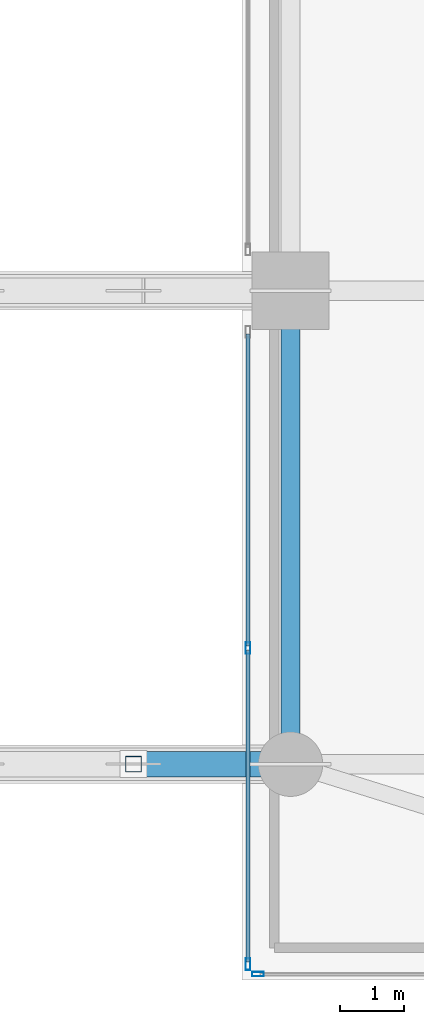
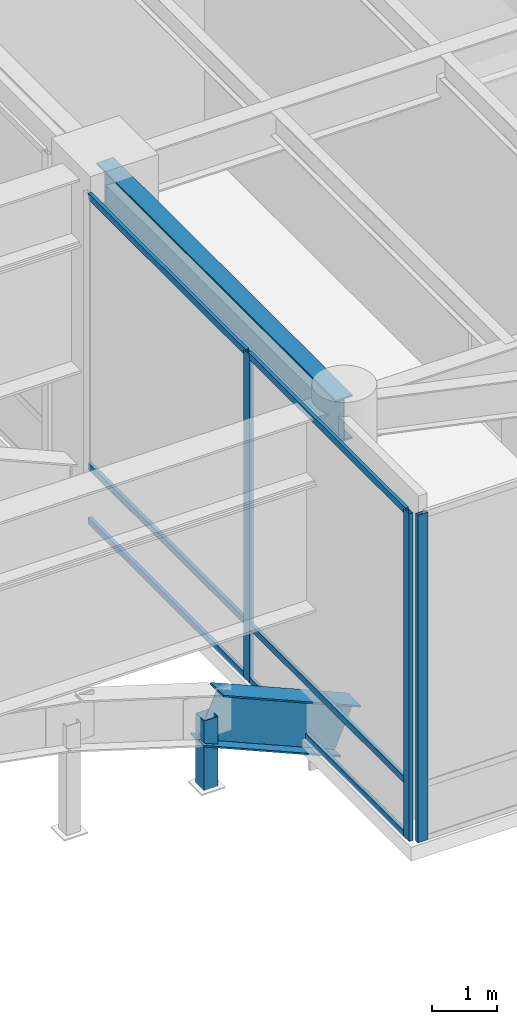
# One storey, part 18 of 50: 10 members, 2 beams, 2 elements without a shape of their own.
"""IFC4 building model written with IfcOpenShell, lengths in metres."""

from ifc_helpers import new_model, si_unit, direction, frame, origin, origin_2d, place, context, subcontext, project, spatial, hollow_rectangle, i_section, extrude, source, transform, mapped, material, layer, layer_set, material_profile, profile_set, type_object, type_shapes, element, aggregate, save


model = new_model("IFC4")

# Units and contexts
model_context = context("Model", 3, precision=1e-05, world=origin(), true_north=direction((0.0, 1.0)))
body_context = subcontext(model_context, "Body", "Model", "MODEL_VIEW")
ifc_project = project(units=[si_unit("LENGTHUNIT", "METRE"), si_unit("AREAUNIT", "SQUARE_METRE"), si_unit("VOLUMEUNIT", "CUBIC_METRE"), si_unit("PLANEANGLEUNIT", "RADIAN"), si_unit("MASSUNIT", "GRAM", prefix="KILO")], contexts=[model_context])

# Site, building, storey
site_placement = place(None, origin())
site = spatial("IfcSite", under=ifc_project, at=site_placement, CompositionType="ELEMENT")
building_placement = place(site_placement, origin())
building = spatial("IfcBuilding", under=site, at=building_placement, Name="Tolvann Quenvar Hotel", CompositionType="ELEMENT")
storey_placement = place(building_placement, frame((0.0, 0.0, 16.0)))
storey = spatial("IfcBuildingStorey", under=building, at=storey_placement, Name="L03", CompositionType="ELEMENT", Elevation=16.0)

# Beams
ifc_material_1 = material(Name="Steel Grade 350", Category="steel")
ifc_material_profile_1 = material_profile(ifc_material_1, i_section(OverallWidth=0.300048828125, OverallDepth=0.81591796875, WebThickness=0.010009765625, FlangeThickness=0.028076171875, at=origin_2d()), Name="800WB192")
ifc_profile_set_1 = profile_set([ifc_material_profile_1], Name="Steel Grade 350")
beam_type_1 = type_object("IfcBeamType", Name="BM_GIRD_800WB192", PredefinedType="BEAM", material=ifc_profile_set_1)
shared_shape_1 = source(origin(), body_context, "Body", "SweptSolid", [
    extrude(i_section(OverallWidth=0.300048828125, OverallDepth=0.81591796875, WebThickness=0.010009765625, FlangeThickness=0.028076171875, at=origin_2d()), origin(), (0.0, 0.0, 1.0), 7.349853515625),
])
type_shapes(beam_type_1, [shared_shape_1])
beam_1_placement = place(storey_placement, frame((38.25, 0.85009765625, 5.73193359375), z_axis=(0.0, 1.0, 0.0), x_axis=(-1.0, 0.0, 0.0)))
element("IfcBeam", 1, at=beam_1_placement, inside=storey, type_object=beam_type_1, Name="BM-L03-NS-APE-0", PredefinedType="BEAM", context=body_context, shape_type="MappedRepresentation", body=[
    mapped(shared_shape_1, transform((0.0, 0.0, 0.0), x_axis=(1.0, 0.0, 0.0), y_axis=(0.0, 1.0, 0.0), z_axis=(0.0, 0.0, 1.0), scale=1.0)),
])
ifc_material_profile_2 = material_profile(ifc_material_1, i_section(OverallWidth=0.39990234375, OverallDepth=0.916015625, WebThickness=0.011962890625, FlangeThickness=0.028076171875, at=origin_2d()), Name="900WB257")
ifc_profile_set_2 = profile_set([ifc_material_profile_2], Name="Steel Grade 350")
beam_type_2 = type_object("IfcBeamType", Name="BM_ARCH_900WB257", PredefinedType="USERDEFINED", material=ifc_profile_set_2)
shared_shape_2 = source(origin(), body_context, "Body", "SweptSolid", [
    extrude(i_section(OverallWidth=0.39990234375, OverallDepth=0.916015625, WebThickness=0.011962890625, FlangeThickness=0.028076171875, at=origin_2d()), origin(), (0.0, 0.0, 1.0), 2.654052734375),
])
type_shapes(beam_type_2, [shared_shape_2])
beam_2_placement = place(storey_placement, frame((35.8125, 0.85009765625, 1.050048828125), z_axis=(0.918405931002, 0.0, -0.395639413987), x_axis=(0.0, 1.0, 0.0)))
element("IfcBeam", 2, at=beam_2_placement, inside=storey, type_object=beam_type_2, Name="Podium Parabolic Arch Rib F1-S8", ObjectType="ARCH RIB", PredefinedType="USERDEFINED", context=body_context, shape_type="MappedRepresentation", body=[
    mapped(shared_shape_2, transform((0.0, 0.0, 0.0), x_axis=(1.0, 0.0, 0.0), y_axis=(0.0, 1.0, 0.0), z_axis=(0.0, 0.0, 1.0), scale=1.0)),
])

# Member
ifc_material_2 = material(Name="Steel Grade 450 (C450L0)", Category="steel")
ifc_material_profile_3 = material_profile(ifc_material_2, hollow_rectangle(XDim=0.25, YDim=0.25, WallThickness=0.010009765625, at=origin_2d()), Name="250x250x10SHS")
ifc_profile_set_3 = profile_set([ifc_material_profile_3], Name="Steel Grade 450 (C450L0)")
member_type_1 = type_object("IfcMemberType", Name="MEM_POST_250SHS", PredefinedType="POST", material=ifc_profile_set_3)
shared_shape_3 = source(origin(), body_context, "Body", "SweptSolid", [
    extrude(hollow_rectangle(XDim=0.25, YDim=0.25, WallThickness=0.010009765625, at=origin_2d()), origin(), (0.0, 0.0, 1.0), 1.31005859375),
])
type_shapes(member_type_1, [shared_shape_3])
member_1_placement = place(storey_placement, frame((35.8125, 0.85009765625, -0.260009765625), z_axis=(0.0, 0.0, 1.0), x_axis=(1.0, 0.0, 0.0)))
element("IfcMember", 3, at=member_1_placement, inside=storey, type_object=member_type_1, Name="Arch Spandrel Pedestal Post F1-B7", PredefinedType="POST", context=body_context, shape_type="MappedRepresentation", body=[
    mapped(shared_shape_3, transform((0.0, 0.0, 0.0), x_axis=(1.0, 0.0, 0.0), y_axis=(0.0, 1.0, 0.0), z_axis=(0.0, 0.0, 1.0), scale=1.0)),
])

# Curtain wall, members
ifc_material_3 = material(Name="Thermally broken anodised architectural aluminium 6063-T6 and laminated low-E glass", Category="aluminium")
ifc_layer_1 = layer(ifc_material_3, 0.179931640625)
ifc_layer_set_1 = layer_set([ifc_layer_1], Name="Thermally broken anodised architectural aluminium 6063-T6 and laminated low-E glass")
curtain_wall_type_1 = type_object("IfcCurtainWallType", Name="CW_SYS_ARCH_01", PredefinedType="USERDEFINED", material=ifc_layer_set_1)
curtain_wall_1_placement = place(storey_placement, origin())
curtain_wall_1 = element("IfcCurtainWall", 4, at=curtain_wall_1_placement, inside=storey, type_object=curtain_wall_type_1, Name="Curtain Wall CW-ARCH-01 (CWR-L03-E03-S4)", ObjectType="UNITISED CURTAIN WALL", PredefinedType="USERDEFINED")
ifc_material_4 = material(Name="Anodised architectural aluminium 6063-T6 framing", Category="aluminium")
ifc_material_profile_4 = material_profile(ifc_material_4, hollow_rectangle(XDim=0.070068359375, YDim=0.179931640625, WallThickness=0.00390625, at=origin_2d()), Name="180x70x4RHS")
ifc_profile_set_4 = profile_set([ifc_material_profile_4], Name="Anodised architectural aluminium 6063-T6 framing")
member_type_2 = type_object("IfcMemberType", Name="CW_MULL_180x70", PredefinedType="MULLION", material=ifc_profile_set_4)
shared_shape_4 = source(origin(), body_context, "Body", "SweptSolid", [
    extrude(hollow_rectangle(XDim=0.070068359375, YDim=0.179931640625, WallThickness=0.00390625, at=origin_2d()), origin(), (0.0, 0.0, 1.0), 6.139892578125),
])
type_shapes(member_type_2, [shared_shape_4])
member_2_placement = place(storey_placement, frame((37.590087890625, 2.653076171875, 0.0), z_axis=(0.0, 0.0, 1.0), x_axis=(1.0, 0.0, 0.0)))
member_2 = element("IfcMember", 5, at=member_2_placement, type_object=member_type_2, Name="CW-ARCH-01 mullion 2", PredefinedType="MULLION", context=body_context, shape_type="MappedRepresentation", body=[
    mapped(shared_shape_4, transform((0.0, 0.0, 0.0), x_axis=(1.0, 0.0, 0.0), y_axis=(0.0, 1.0, 0.0), z_axis=(0.0, 0.0, 1.0), scale=1.0)),
])
member_3_placement = place(storey_placement, frame((37.590087890625, -2.2548828125, 0.0), z_axis=(0.0, 0.0, 1.0), x_axis=(1.0, 0.0, 0.0)))
member_3 = element("IfcMember", 6, at=member_3_placement, type_object=member_type_2, Name="CW-ARCH-01 mullion 3", PredefinedType="MULLION", context=body_context, shape_type="MappedRepresentation", body=[
    mapped(shared_shape_4, transform((0.0, 0.0, 0.0), x_axis=(1.0, 0.0, 0.0), y_axis=(0.0, 1.0, 0.0), z_axis=(0.0, 0.0, 1.0), scale=1.0)),
])

# Curtain wall, member
ifc_layer_2 = layer(ifc_material_3, 0.179931640625)
ifc_layer_set_2 = layer_set([ifc_layer_2], Name="Thermally broken anodised architectural aluminium 6063-T6 and laminated low-E glass")
curtain_wall_type_2 = type_object("IfcCurtainWallType", Name="CW_SYS_BALL_02", PredefinedType="USERDEFINED", material=ifc_layer_set_2)
curtain_wall_2_placement = place(storey_placement, origin())
curtain_wall_2 = element("IfcCurtainWall", 7, at=curtain_wall_2_placement, inside=storey, type_object=curtain_wall_type_2, Name="Curtain Wall CW-BALL-02 (CWR-L03-E04-S1)", ObjectType="UNITISED CURTAIN WALL", PredefinedType="USERDEFINED")
member_4_placement = place(storey_placement, frame((37.7451171875, -2.409912109375, 0.0), z_axis=(0.0, 0.0, 1.0), x_axis=(0.0, 1.0, 0.0)))
member_4 = element("IfcMember", 8, at=member_4_placement, type_object=member_type_2, Name="CW-BALL-02 mullion 1", PredefinedType="MULLION", context=body_context, shape_type="MappedRepresentation", body=[
    mapped(shared_shape_4, transform((0.0, 0.0, 0.0), x_axis=(1.0, 0.0, 0.0), y_axis=(0.0, 1.0, 0.0), z_axis=(0.0, 0.0, 1.0), scale=1.0)),
])
aggregate(curtain_wall_2, [member_4])

# Member
ifc_material_profile_5 = material_profile(ifc_material_4, hollow_rectangle(XDim=0.06005859375, YDim=0.1201171875, WallThickness=0.00341796875, at=origin_2d()), Name="120x60x3.5RHS")
ifc_profile_set_5 = profile_set([ifc_material_profile_5], Name="Anodised architectural aluminium 6063-T6 framing")
member_type_3 = type_object("IfcMemberType", Name="CW_TRAN_120x60", PredefinedType="USERDEFINED", material=ifc_profile_set_5)
shared_shape_5 = source(origin(), body_context, "Body", "SweptSolid", [
    extrude(hollow_rectangle(XDim=0.06005859375, YDim=0.1201171875, WallThickness=0.00341796875, at=origin_2d()), origin(), (0.0, 0.0, 1.0), 4.837890625),
])
type_shapes(member_type_3, [shared_shape_5])
member_5_placement = place(storey_placement, frame((37.590087890625, 7.52587890625, 0.030029296875), z_axis=(0.0, -1.0, 0.0), x_axis=(1.0, 0.0, 0.0)))
member_5 = element("IfcMember", 9, at=member_5_placement, type_object=member_type_3, Name="CW-ARCH-01 transom 1.1", ObjectType="TRANSOM", PredefinedType="USERDEFINED", context=body_context, shape_type="MappedRepresentation", body=[
    mapped(shared_shape_5, transform((0.0, 0.0, 0.0), x_axis=(1.0, 0.0, 0.0), y_axis=(0.0, 1.0, 0.0), z_axis=(0.0, 0.0, 1.0), scale=1.0)),
])

member_6_placement = place(storey_placement, frame((37.590087890625, 7.52587890625, 1.050048828125), z_axis=(0.0, -1.0, 0.0), x_axis=(1.0, 0.0, 0.0)))
member_6 = element("IfcMember", 10, at=member_6_placement, type_object=member_type_3, Name="CW-ARCH-01 transom 1.2", ObjectType="TRANSOM", PredefinedType="USERDEFINED", context=body_context, shape_type="MappedRepresentation", body=[
    mapped(shared_shape_5, transform((0.0, 0.0, 0.0), x_axis=(1.0, 0.0, 0.0), y_axis=(0.0, 1.0, 0.0), z_axis=(0.0, 0.0, 1.0), scale=1.0)),
])

member_7_placement = place(storey_placement, frame((37.590087890625, 7.52587890625, 6.110107421875), z_axis=(0.0, -1.0, 0.0), x_axis=(1.0, 0.0, 0.0)))
member_7 = element("IfcMember", 11, at=member_7_placement, type_object=member_type_3, Name="CW-ARCH-01 transom 1.3", ObjectType="TRANSOM", PredefinedType="USERDEFINED", context=body_context, shape_type="MappedRepresentation", body=[
    mapped(shared_shape_5, transform((0.0, 0.0, 0.0), x_axis=(1.0, 0.0, 0.0), y_axis=(0.0, 1.0, 0.0), z_axis=(0.0, 0.0, 1.0), scale=1.0)),
])

member_8_placement = place(storey_placement, frame((37.590087890625, 2.617919921875, 0.030029296875), z_axis=(0.0, -1.0, 0.0), x_axis=(1.0, 0.0, 0.0)))
member_8 = element("IfcMember", 12, at=member_8_placement, type_object=member_type_3, Name="CW-ARCH-01 transom 2.1", ObjectType="TRANSOM", PredefinedType="USERDEFINED", context=body_context, shape_type="MappedRepresentation", body=[
    mapped(shared_shape_5, transform((0.0, 0.0, 0.0), x_axis=(1.0, 0.0, 0.0), y_axis=(0.0, 1.0, 0.0), z_axis=(0.0, 0.0, 1.0), scale=1.0)),
])

member_9_placement = place(storey_placement, frame((37.590087890625, 2.617919921875, 1.050048828125), z_axis=(0.0, -1.0, 0.0), x_axis=(1.0, 0.0, 0.0)))
member_9 = element("IfcMember", 13, at=member_9_placement, type_object=member_type_3, Name="CW-ARCH-01 transom 2.2", ObjectType="TRANSOM", PredefinedType="USERDEFINED", context=body_context, shape_type="MappedRepresentation", body=[
    mapped(shared_shape_5, transform((0.0, 0.0, 0.0), x_axis=(1.0, 0.0, 0.0), y_axis=(0.0, 1.0, 0.0), z_axis=(0.0, 0.0, 1.0), scale=1.0)),
])

member_10_placement = place(storey_placement, frame((37.590087890625, 2.617919921875, 6.110107421875), z_axis=(0.0, -1.0, 0.0), x_axis=(1.0, 0.0, 0.0)))
member_10 = element("IfcMember", 14, at=member_10_placement, type_object=member_type_3, Name="CW-ARCH-01 transom 2.3", ObjectType="TRANSOM", PredefinedType="USERDEFINED", context=body_context, shape_type="MappedRepresentation", body=[
    mapped(shared_shape_5, transform((0.0, 0.0, 0.0), x_axis=(1.0, 0.0, 0.0), y_axis=(0.0, 1.0, 0.0), z_axis=(0.0, 0.0, 1.0), scale=1.0)),
])

aggregate(curtain_wall_1, [member_2, member_3, member_5, member_6, member_7, member_8, member_9, member_10])

save(model, "model.ifc")
